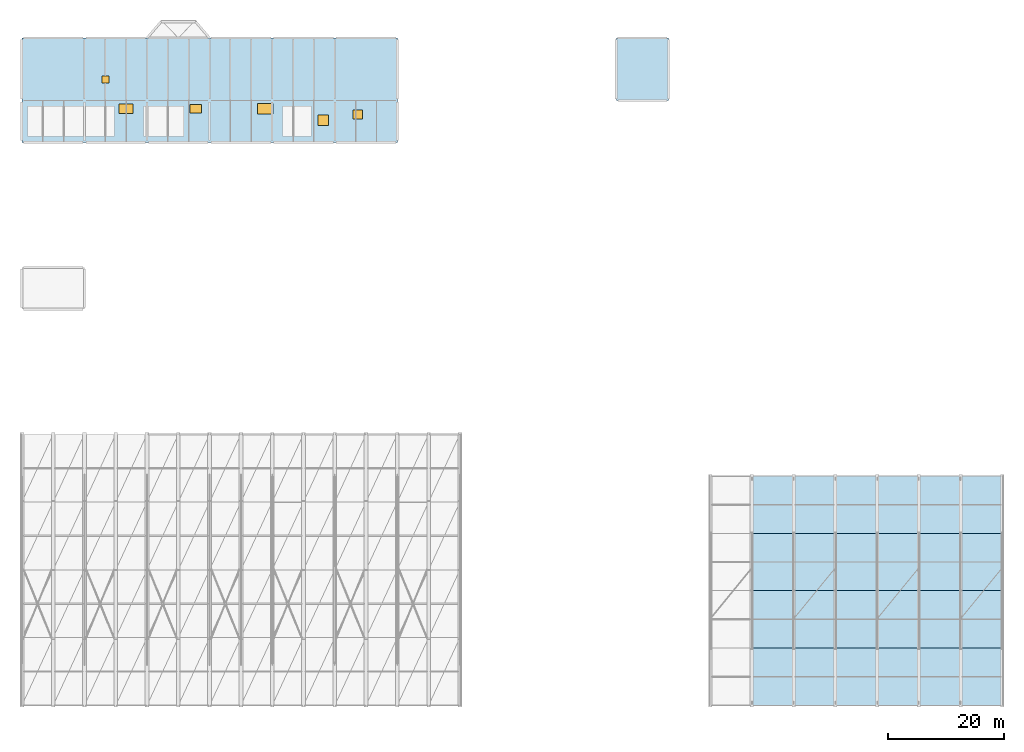
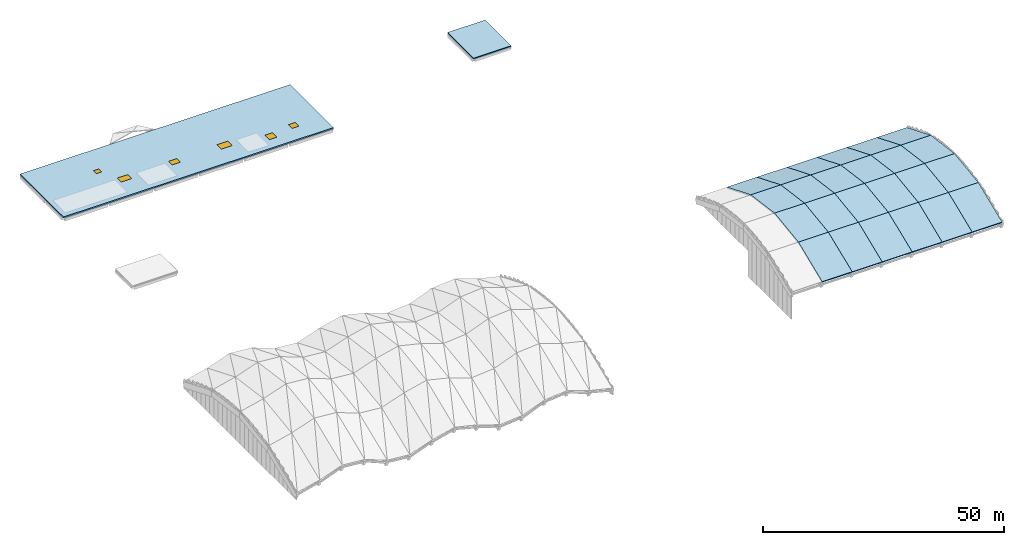
# One storey, part 8 of 22: 26 slabs, 6 windows, 6 openings.
"""IFC4 building model written with IfcOpenShell, lengths in metres."""

from ifc_helpers import new_model, si_unit, direction, frame, origin, origin_2d, place, context, subcontext, project, spatial, polyline, rectangle, outline, extrude, material, layer, layer_set, type_object, element, fill, save


model = new_model("IFC4")

# Units and contexts
model_context = context("Model", 3, precision=1e-05, world=origin(), true_north=direction((0.0, 1.0)))
body_context = subcontext(model_context, "Body", "Model", "MODEL_VIEW")
ifc_project = project(units=[si_unit("LENGTHUNIT", "METRE"), si_unit("AREAUNIT", "SQUARE_METRE"), si_unit("VOLUMEUNIT", "CUBIC_METRE"), si_unit("PLANEANGLEUNIT", "RADIAN"), si_unit("MASSUNIT", "GRAM", prefix="KILO")], contexts=[model_context])

# Site, building, storey
site_placement = place(None, origin())
site = spatial("IfcSite", under=ifc_project, at=site_placement, CompositionType="ELEMENT")
building_placement = place(site_placement, origin())
building = spatial("IfcBuilding", under=site, at=building_placement, Name="Lusvemor Sports Hall", CompositionType="ELEMENT")
storey_placement = place(building_placement, frame((0.0, 0.0, 23.39990234375)))
storey = spatial("IfcBuildingStorey", under=building, at=storey_placement, Name="Roof", CompositionType="ELEMENT", Elevation=23.39990234375)

# Slabs
ifc_material_1 = material(Name="Concrete C40/50", Category="concrete")
ifc_layer_1 = layer(ifc_material_1, 0.22998046875)
ifc_layer_set_1 = layer_set([ifc_layer_1], Name="Concrete C40/50")
slab_type_1 = type_object("IfcSlabType", Name="ROOF_AISLE_235", PredefinedType="ROOF", material=ifc_layer_set_1)
slab_1_placement = place(storey_placement, frame((0.0, 0.0, -0.22998046875)))
element("IfcSlab", 1, at=slab_1_placement, inside=storey, type_object=slab_type_1, Name="Roof Slab SLAB-ROOF-C4", PredefinedType="ROOF", context=body_context, shape_type="SweptSolid", body=[
    extrude(outline(polyline([(102.60009765625, 104.39990234375), (111.60009765625, 104.39990234375), (111.60009765625, 115.199951171875), (102.60009765625, 115.199951171875), (102.60009765625, 104.39990234375)])), origin(), (0.0, 0.0, 1.0), 0.22998046875),
])
ifc_material_2 = material(Name="Concrete C40/50", Category="concrete")
ifc_layer_2 = layer(ifc_material_2, 0.360107421875)
ifc_layer_set_2 = layer_set([ifc_layer_2], Name="Concrete C40/50")
slab_type_2 = type_object("IfcSlabType", Name="ROOF_VAULT2_205", PredefinedType="ROOF", material=ifc_layer_set_2)
slab_2_placement = place(storey_placement, frame((126.0, 0.0, -1.599853515625), z_axis=(0.0, -0.378639955723, 0.925544047536), x_axis=(1.0, 0.0, 0.0)))
element("IfcSlab", 2, at=slab_2_placement, inside=storey, type_object=slab_type_2, Name="East Barrel-Vault Roof Facet 14-1", PredefinedType="ROOF", context=body_context, shape_type="SweptSolid", body=[
    extrude(outline(polyline([(0.0, 0.0), (7.199951171875, 0.0), (7.199951171875, 10.696305994406828), (0.0, 10.696305994406828), (0.0, 0.0)])), origin(), (0.0, 0.0, -1.0), 0.360107421875),
])
slab_3_placement = place(storey_placement, frame((126.0, 9.89990234375, 2.4501953125), z_axis=(0.0, -0.135096849146, 0.990832398214), x_axis=(1.0, 0.0, 0.0)))
element("IfcSlab", 3, at=slab_3_placement, inside=storey, type_object=slab_type_2, Name="East Barrel-Vault Roof Facet 14-2", PredefinedType="ROOF", context=body_context, shape_type="SweptSolid", body=[
    extrude(outline(polyline([(0.0, 0.0), (7.199951171875, 0.0), (7.199951171875, 9.991746840554352), (0.0, 9.991746840554352), (0.0, 0.0)])), origin(), (0.0, 0.0, -1.0), 0.360107421875),
])
slab_4_placement = place(storey_placement, frame((126.0, 19.800048828125, 3.800048828125), z_axis=(0.0, 0.13510011995, 0.990831952245), x_axis=(1.0, 0.0, 0.0)))
element("IfcSlab", 4, at=slab_4_placement, inside=storey, type_object=slab_type_2, Name="East Barrel-Vault Roof Facet 14-3", PredefinedType="ROOF", context=body_context, shape_type="SweptSolid", body=[
    extrude(outline(polyline([(0.0, 0.0), (7.199951171875, 0.0), (7.199951171875, 9.99150493816782), (0.0, 9.99150493816782), (0.0, 0.0)])), origin(), (0.0, 0.0, -1.0), 0.360107421875),
])
slab_5_placement = place(storey_placement, frame((126.0, 29.699951171875, 2.4501953125), z_axis=(0.0, 0.378631956987, 0.925547319778), x_axis=(1.0, 0.0, 0.0)))
element("IfcSlab", 5, at=slab_5_placement, inside=storey, type_object=slab_type_2, Name="East Barrel-Vault Roof Facet 14-4", PredefinedType="ROOF", context=body_context, shape_type="SweptSolid", body=[
    extrude(outline(polyline([(0.0, 0.0), (7.199951171875, 0.0), (7.199951171875, 10.696531957708505), (0.0, 10.696531957708505), (0.0, 0.0)])), origin(), (0.0, 0.0, -1.0), 0.360107421875),
])
slab_6_placement = place(storey_placement, frame((133.199951171875, 0.0, -1.599853515625), z_axis=(0.0, -0.378639955723, 0.925544047536), x_axis=(1.0, 0.0, 0.0)))
element("IfcSlab", 6, at=slab_6_placement, inside=storey, type_object=slab_type_2, Name="East Barrel-Vault Roof Facet 15-1", PredefinedType="ROOF", context=body_context, shape_type="SweptSolid", body=[
    extrude(outline(polyline([(0.0, 0.0), (7.199951171875, 0.0), (7.199951171875, 10.696305994406828), (0.0, 10.696305994406828), (0.0, 0.0)])), origin(), (0.0, 0.0, -1.0), 0.360107421875),
])
slab_7_placement = place(storey_placement, frame((133.199951171875, 9.89990234375, 2.4501953125), z_axis=(0.0, -0.135096849146, 0.990832398214), x_axis=(1.0, 0.0, 0.0)))
element("IfcSlab", 7, at=slab_7_placement, inside=storey, type_object=slab_type_2, Name="East Barrel-Vault Roof Facet 15-2", PredefinedType="ROOF", context=body_context, shape_type="SweptSolid", body=[
    extrude(outline(polyline([(0.0, 0.0), (7.199951171875, 0.0), (7.199951171875, 9.991746840554352), (0.0, 9.991746840554352), (0.0, 0.0)])), origin(), (0.0, 0.0, -1.0), 0.360107421875),
])
slab_8_placement = place(storey_placement, frame((133.199951171875, 19.800048828125, 3.800048828125), z_axis=(0.0, 0.13510011995, 0.990831952245), x_axis=(1.0, 0.0, 0.0)))
element("IfcSlab", 8, at=slab_8_placement, inside=storey, type_object=slab_type_2, Name="East Barrel-Vault Roof Facet 15-3", PredefinedType="ROOF", context=body_context, shape_type="SweptSolid", body=[
    extrude(outline(polyline([(0.0, 0.0), (7.199951171875, 0.0), (7.199951171875, 9.99150493816782), (0.0, 9.99150493816782), (0.0, 0.0)])), origin(), (0.0, 0.0, -1.0), 0.360107421875),
])
slab_9_placement = place(storey_placement, frame((133.199951171875, 29.699951171875, 2.4501953125), z_axis=(0.0, 0.378631956987, 0.925547319778), x_axis=(1.0, 0.0, 0.0)))
element("IfcSlab", 9, at=slab_9_placement, inside=storey, type_object=slab_type_2, Name="East Barrel-Vault Roof Facet 15-4", PredefinedType="ROOF", context=body_context, shape_type="SweptSolid", body=[
    extrude(outline(polyline([(0.0, 0.0), (7.199951171875, 0.0), (7.199951171875, 10.696531957708505), (0.0, 10.696531957708505), (0.0, 0.0)])), origin(), (0.0, 0.0, -1.0), 0.360107421875),
])
slab_10_placement = place(storey_placement, frame((140.39990234375, 0.0, -1.599853515625), z_axis=(0.0, -0.378639955723, 0.925544047536), x_axis=(1.0, 0.0, 0.0)))
element("IfcSlab", 10, at=slab_10_placement, inside=storey, type_object=slab_type_2, Name="East Barrel-Vault Roof Facet 16-1", PredefinedType="ROOF", context=body_context, shape_type="SweptSolid", body=[
    extrude(outline(polyline([(0.0, 0.0), (7.2001953125, 0.0), (7.2001953125, 10.696305994406828), (0.0, 10.696305994406828), (0.0, 0.0)])), origin(), (0.0, 0.0, -1.0), 0.360107421875),
])
slab_11_placement = place(storey_placement, frame((140.39990234375, 9.89990234375, 2.4501953125), z_axis=(0.0, -0.135096849146, 0.990832398214), x_axis=(1.0, 0.0, 0.0)))
element("IfcSlab", 11, at=slab_11_placement, inside=storey, type_object=slab_type_2, Name="East Barrel-Vault Roof Facet 16-2", PredefinedType="ROOF", context=body_context, shape_type="SweptSolid", body=[
    extrude(outline(polyline([(0.0, 0.0), (7.2001953125, 0.0), (7.2001953125, 9.99174684055435), (0.0, 9.99174684055435), (0.0, 0.0)])), origin(), (0.0, 0.0, -1.0), 0.360107421875),
])
slab_12_placement = place(storey_placement, frame((140.39990234375, 19.800048828125, 3.800048828125), z_axis=(0.0, 0.13510011995, 0.990831952245), x_axis=(1.0, 0.0, 0.0)))
element("IfcSlab", 12, at=slab_12_placement, inside=storey, type_object=slab_type_2, Name="East Barrel-Vault Roof Facet 16-3", PredefinedType="ROOF", context=body_context, shape_type="SweptSolid", body=[
    extrude(outline(polyline([(0.0, 0.0), (7.2001953125, 0.0), (7.2001953125, 9.991504938167818), (0.0, 9.991504938167818), (0.0, 0.0)])), origin(), (0.0, 0.0, -1.0), 0.360107421875),
])
slab_13_placement = place(storey_placement, frame((140.39990234375, 29.699951171875, 2.4501953125), z_axis=(0.0, 0.378631956987, 0.925547319778), x_axis=(1.0, 0.0, 0.0)))
element("IfcSlab", 13, at=slab_13_placement, inside=storey, type_object=slab_type_2, Name="East Barrel-Vault Roof Facet 16-4", PredefinedType="ROOF", context=body_context, shape_type="SweptSolid", body=[
    extrude(outline(polyline([(0.0, 0.0), (7.2001953125, 0.0), (7.2001953125, 10.696531957708505), (0.0, 10.696531957708505), (0.0, 0.0)])), origin(), (0.0, 0.0, -1.0), 0.360107421875),
])
slab_14_placement = place(storey_placement, frame((147.60009765625, 0.0, -1.599853515625), z_axis=(0.0, -0.378639955723, 0.925544047536), x_axis=(1.0, 0.0, 0.0)))
element("IfcSlab", 14, at=slab_14_placement, inside=storey, type_object=slab_type_2, Name="East Barrel-Vault Roof Facet 17-1", PredefinedType="ROOF", context=body_context, shape_type="SweptSolid", body=[
    extrude(outline(polyline([(0.0, 0.0), (7.199951171875, 0.0), (7.199951171875, 10.696305994406828), (0.0, 10.696305994406828), (0.0, 0.0)])), origin(), (0.0, 0.0, -1.0), 0.360107421875),
])
slab_15_placement = place(storey_placement, frame((147.60009765625, 9.89990234375, 2.4501953125), z_axis=(0.0, -0.135096849146, 0.990832398214), x_axis=(1.0, 0.0, 0.0)))
element("IfcSlab", 15, at=slab_15_placement, inside=storey, type_object=slab_type_2, Name="East Barrel-Vault Roof Facet 17-2", PredefinedType="ROOF", context=body_context, shape_type="SweptSolid", body=[
    extrude(outline(polyline([(0.0, 0.0), (7.199951171875, 0.0), (7.199951171875, 9.991746840554352), (0.0, 9.991746840554352), (0.0, 0.0)])), origin(), (0.0, 0.0, -1.0), 0.360107421875),
])
slab_16_placement = place(storey_placement, frame((147.60009765625, 19.800048828125, 3.800048828125), z_axis=(0.0, 0.13510011995, 0.990831952245), x_axis=(1.0, 0.0, 0.0)))
element("IfcSlab", 16, at=slab_16_placement, inside=storey, type_object=slab_type_2, Name="East Barrel-Vault Roof Facet 17-3", PredefinedType="ROOF", context=body_context, shape_type="SweptSolid", body=[
    extrude(outline(polyline([(0.0, 0.0), (7.199951171875, 0.0), (7.199951171875, 9.99150493816782), (0.0, 9.99150493816782), (0.0, 0.0)])), origin(), (0.0, 0.0, -1.0), 0.360107421875),
])
slab_17_placement = place(storey_placement, frame((147.60009765625, 29.699951171875, 2.4501953125), z_axis=(0.0, 0.378631956987, 0.925547319778), x_axis=(1.0, 0.0, 0.0)))
element("IfcSlab", 17, at=slab_17_placement, inside=storey, type_object=slab_type_2, Name="East Barrel-Vault Roof Facet 17-4", PredefinedType="ROOF", context=body_context, shape_type="SweptSolid", body=[
    extrude(outline(polyline([(0.0, 0.0), (7.199951171875, 0.0), (7.199951171875, 10.696531957708505), (0.0, 10.696531957708505), (0.0, 0.0)])), origin(), (0.0, 0.0, -1.0), 0.360107421875),
])
slab_18_placement = place(storey_placement, frame((154.800048828125, 0.0, -1.599853515625), z_axis=(0.0, -0.378639955723, 0.925544047536), x_axis=(1.0, 0.0, 0.0)))
element("IfcSlab", 18, at=slab_18_placement, inside=storey, type_object=slab_type_2, Name="East Barrel-Vault Roof Facet 18-1", PredefinedType="ROOF", context=body_context, shape_type="SweptSolid", body=[
    extrude(outline(polyline([(0.0, 0.0), (7.199951171875, 0.0), (7.199951171875, 10.696305994406828), (0.0, 10.696305994406828), (0.0, 0.0)])), origin(), (0.0, 0.0, -1.0), 0.360107421875),
])
slab_19_placement = place(storey_placement, frame((154.800048828125, 9.89990234375, 2.4501953125), z_axis=(0.0, -0.135096849146, 0.990832398214), x_axis=(1.0, 0.0, 0.0)))
element("IfcSlab", 19, at=slab_19_placement, inside=storey, type_object=slab_type_2, Name="East Barrel-Vault Roof Facet 18-2", PredefinedType="ROOF", context=body_context, shape_type="SweptSolid", body=[
    extrude(outline(polyline([(0.0, 0.0), (7.199951171875, 0.0), (7.199951171875, 9.991746840554352), (0.0, 9.991746840554352), (0.0, 0.0)])), origin(), (0.0, 0.0, -1.0), 0.360107421875),
])
slab_20_placement = place(storey_placement, frame((154.800048828125, 19.800048828125, 3.800048828125), z_axis=(0.0, 0.13510011995, 0.990831952245), x_axis=(1.0, 0.0, 0.0)))
element("IfcSlab", 20, at=slab_20_placement, inside=storey, type_object=slab_type_2, Name="East Barrel-Vault Roof Facet 18-3", PredefinedType="ROOF", context=body_context, shape_type="SweptSolid", body=[
    extrude(outline(polyline([(0.0, 0.0), (7.199951171875, 0.0), (7.199951171875, 9.99150493816782), (0.0, 9.99150493816782), (0.0, 0.0)])), origin(), (0.0, 0.0, -1.0), 0.360107421875),
])
slab_21_placement = place(storey_placement, frame((154.800048828125, 29.699951171875, 2.4501953125), z_axis=(0.0, 0.378631956987, 0.925547319778), x_axis=(1.0, 0.0, 0.0)))
element("IfcSlab", 21, at=slab_21_placement, inside=storey, type_object=slab_type_2, Name="East Barrel-Vault Roof Facet 18-4", PredefinedType="ROOF", context=body_context, shape_type="SweptSolid", body=[
    extrude(outline(polyline([(0.0, 0.0), (7.199951171875, 0.0), (7.199951171875, 10.696531957708505), (0.0, 10.696531957708505), (0.0, 0.0)])), origin(), (0.0, 0.0, -1.0), 0.360107421875),
])
slab_22_placement = place(storey_placement, frame((162.0, 0.0, -1.599853515625), z_axis=(0.0, -0.378639955723, 0.925544047536), x_axis=(1.0, 0.0, 0.0)))
element("IfcSlab", 22, at=slab_22_placement, inside=storey, type_object=slab_type_2, Name="East Barrel-Vault Roof Facet 19-1", PredefinedType="ROOF", context=body_context, shape_type="SweptSolid", body=[
    extrude(outline(polyline([(0.0, 0.0), (7.199951171875, 0.0), (7.199951171875, 10.696305994406828), (0.0, 10.696305994406828), (0.0, 0.0)])), origin(), (0.0, 0.0, -1.0), 0.360107421875),
])
slab_23_placement = place(storey_placement, frame((162.0, 9.89990234375, 2.4501953125), z_axis=(0.0, -0.135096849146, 0.990832398214), x_axis=(1.0, 0.0, 0.0)))
element("IfcSlab", 23, at=slab_23_placement, inside=storey, type_object=slab_type_2, Name="East Barrel-Vault Roof Facet 19-2", PredefinedType="ROOF", context=body_context, shape_type="SweptSolid", body=[
    extrude(outline(polyline([(0.0, 0.0), (7.199951171875, 0.0), (7.199951171875, 9.991746840554352), (0.0, 9.991746840554352), (0.0, 0.0)])), origin(), (0.0, 0.0, -1.0), 0.360107421875),
])
slab_24_placement = place(storey_placement, frame((162.0, 19.800048828125, 3.800048828125), z_axis=(0.0, 0.13510011995, 0.990831952245), x_axis=(1.0, 0.0, 0.0)))
element("IfcSlab", 24, at=slab_24_placement, inside=storey, type_object=slab_type_2, Name="East Barrel-Vault Roof Facet 19-3", PredefinedType="ROOF", context=body_context, shape_type="SweptSolid", body=[
    extrude(outline(polyline([(0.0, 0.0), (7.199951171875, 0.0), (7.199951171875, 9.99150493816782), (0.0, 9.99150493816782), (0.0, 0.0)])), origin(), (0.0, 0.0, -1.0), 0.360107421875),
])
slab_25_placement = place(storey_placement, frame((162.0, 29.699951171875, 2.4501953125), z_axis=(0.0, 0.378631956987, 0.925547319778), x_axis=(1.0, 0.0, 0.0)))
element("IfcSlab", 25, at=slab_25_placement, inside=storey, type_object=slab_type_2, Name="East Barrel-Vault Roof Facet 19-4", PredefinedType="ROOF", context=body_context, shape_type="SweptSolid", body=[
    extrude(outline(polyline([(0.0, 0.0), (7.199951171875, 0.0), (7.199951171875, 10.696531957708505), (0.0, 10.696531957708505), (0.0, 0.0)])), origin(), (0.0, 0.0, -1.0), 0.360107421875),
])

# Slab, openings, windows
ifc_material_3 = material(Name="Concrete C40/50", Category="concrete")
ifc_layer_3 = layer(ifc_material_3, 0.330078125)
ifc_layer_set_3 = layer_set([ifc_layer_3], Name="Concrete C40/50")
slab_type_3 = type_object("IfcSlabType", Name="ROOF_WING_275", PredefinedType="ROOF", material=ifc_layer_set_3)
slab_26_placement = place(storey_placement, frame((0.0, 0.0, -0.329833984375)))
slab_26 = element("IfcSlab", 26, at=slab_26_placement, inside=storey, type_object=slab_type_3, Name="Roof Slab SLAB-ROOF-V5NW", PredefinedType="ROOF", context=body_context, shape_type="SweptSolid", body=[
    extrude(outline(polyline([(0.0, 97.199951171875), (64.800048828125, 97.199951171875), (64.800048828125, 115.199951171875), (0.0, 115.199951171875), (0.0, 97.199951171875)])), origin(), (0.0, 0.0, 1.0), 0.329833984375),
])
opening_1_placement = place(slab_26_placement, frame((14.39990234375, 108.0, 0.0)))
opening_1 = element("IfcOpeningElement", 27, at=opening_1_placement, cuts=slab_26, Name="Opening SK05", PredefinedType="OPENING", context=body_context, shape_type="SweptSolid", body=[
    extrude(rectangle(XDim=1.219970703125, YDim=1.219970703125, at=origin_2d()), origin(), (0.0, 0.0, 1.0), 0.329833984375),
])
opening_2_placement = place(slab_26_placement, frame((18.0, 103.0, 0.0)))
opening_2 = element("IfcOpeningElement", 28, at=opening_2_placement, cuts=slab_26, Name="Opening SK01", PredefinedType="OPENING", context=body_context, shape_type="SweptSolid", body=[
    extrude(rectangle(XDim=2.43994140625, YDim=1.639892578125, at=origin_2d()), origin(), (0.0, 0.0, 1.0), 0.329833984375),
])
opening_3_placement = place(slab_26_placement, frame((30.0, 103.0, 0.0)))
opening_3 = element("IfcOpeningElement", 29, at=opening_3_placement, cuts=slab_26, Name="Opening SK02", PredefinedType="OPENING", context=body_context, shape_type="SweptSolid", body=[
    extrude(rectangle(XDim=2.0400390625, YDim=1.43994140625, at=origin_2d()), origin(), (0.0, 0.0, 1.0), 0.329833984375),
])
opening_4_placement = place(slab_26_placement, frame((42.0, 103.0, 0.0)))
opening_4 = element("IfcOpeningElement", 30, at=opening_4_placement, cuts=slab_26, Name="Opening SK03", PredefinedType="OPENING", context=body_context, shape_type="SweptSolid", body=[
    extrude(rectangle(XDim=2.639892578125, YDim=1.840087890625, at=origin_2d()), origin(), (0.0, 0.0, 1.0), 0.329833984375),
])
opening_5_placement = place(slab_26_placement, frame((52.0, 101.0, 0.0)))
opening_5 = element("IfcOpeningElement", 31, at=opening_5_placement, cuts=slab_26, Name="Opening SK04", PredefinedType="OPENING", context=body_context, shape_type="SweptSolid", body=[
    extrude(rectangle(XDim=1.840087890625, YDim=1.840087890625, at=origin_2d()), origin(), (0.0, 0.0, 1.0), 0.329833984375),
])
opening_6_placement = place(slab_26_placement, frame((58.0, 102.0, 0.0)))
opening_6 = element("IfcOpeningElement", 32, at=opening_6_placement, cuts=slab_26, Name="Opening SK07", PredefinedType="OPENING", context=body_context, shape_type="SweptSolid", body=[
    extrude(rectangle(XDim=1.639892578125, YDim=1.5400390625, at=origin_2d()), origin(), (0.0, 0.0, 1.0), 0.329833984375),
])
ifc_material_4 = material(Name="Solar-control laminated double glazing", Category="glass")
window_type_1 = type_object("IfcWindowType", Name="SKY_01", PartitioningType="SINGLE_PANEL", PredefinedType="SKYLIGHT", material=ifc_material_4)
window_1_placement = place(opening_2_placement, frame((0.0, 0.0, 0.27978515625)))
window_1 = element("IfcWindow", 33, at=window_1_placement, inside=storey, type_object=window_type_1, Name="Roof Skylight SKY-V5NW-1", OverallHeight=1.639892578125, OverallWidth=2.43994140625, PartitioningType="SINGLE_PANEL", PredefinedType="SKYLIGHT", context=body_context, shape_type="SweptSolid", body=[
    extrude(rectangle(XDim=2.43994140625, YDim=1.639892578125, at=origin_2d()), origin(), (0.0, 0.0, 1.0), 0.050048828125),
])
fill(opening_2, window_1)
ifc_material_5 = material(Name="Solar-control laminated double glazing", Category="glass")
window_type_2 = type_object("IfcWindowType", Name="SKY_02", PartitioningType="SINGLE_PANEL", PredefinedType="SKYLIGHT", material=ifc_material_5)
window_2_placement = place(opening_3_placement, frame((0.0, 0.0, 0.27978515625)))
window_2 = element("IfcWindow", 34, at=window_2_placement, inside=storey, type_object=window_type_2, Name="Roof Skylight SKY-V5NW-2", OverallHeight=1.43994140625, OverallWidth=2.0400390625, PartitioningType="SINGLE_PANEL", PredefinedType="SKYLIGHT", context=body_context, shape_type="SweptSolid", body=[
    extrude(rectangle(XDim=2.0400390625, YDim=1.43994140625, at=origin_2d()), origin(), (0.0, 0.0, 1.0), 0.050048828125),
])
fill(opening_3, window_2)
ifc_material_6 = material(Name="Solar-control laminated double glazing", Category="glass")
window_type_3 = type_object("IfcWindowType", Name="SKY_03", PartitioningType="SINGLE_PANEL", PredefinedType="SKYLIGHT", material=ifc_material_6)
window_3_placement = place(opening_4_placement, frame((0.0, 0.0, 0.27978515625)))
window_3 = element("IfcWindow", 35, at=window_3_placement, inside=storey, type_object=window_type_3, Name="Roof Skylight SKY-V5NW-3", OverallHeight=1.840087890625, OverallWidth=2.639892578125, PartitioningType="SINGLE_PANEL", PredefinedType="SKYLIGHT", context=body_context, shape_type="SweptSolid", body=[
    extrude(rectangle(XDim=2.639892578125, YDim=1.840087890625, at=origin_2d()), origin(), (0.0, 0.0, 1.0), 0.050048828125),
])
fill(opening_4, window_3)
ifc_material_7 = material(Name="Solar-control laminated double glazing", Category="glass")
window_type_4 = type_object("IfcWindowType", Name="SKY_04", PartitioningType="SINGLE_PANEL", PredefinedType="SKYLIGHT", material=ifc_material_7)
window_4_placement = place(opening_5_placement, frame((0.0, 0.0, 0.27978515625)))
window_4 = element("IfcWindow", 36, at=window_4_placement, inside=storey, type_object=window_type_4, Name="Roof Skylight SKY-V5NW-4", OverallHeight=1.840087890625, OverallWidth=1.840087890625, PartitioningType="SINGLE_PANEL", PredefinedType="SKYLIGHT", context=body_context, shape_type="SweptSolid", body=[
    extrude(rectangle(XDim=1.840087890625, YDim=1.840087890625, at=origin_2d()), origin(), (0.0, 0.0, 1.0), 0.050048828125),
])
fill(opening_5, window_4)
ifc_material_8 = material(Name="Solar-control laminated double glazing", Category="glass")
window_type_5 = type_object("IfcWindowType", Name="SKY_05", PartitioningType="SINGLE_PANEL", PredefinedType="SKYLIGHT", material=ifc_material_8)
window_5_placement = place(opening_1_placement, frame((0.0, 0.0, 0.27978515625)))
window_5 = element("IfcWindow", 37, at=window_5_placement, inside=storey, type_object=window_type_5, Name="Roof Skylight HATCH-ROOF-V5NW", OverallHeight=1.219970703125, OverallWidth=1.219970703125, PartitioningType="SINGLE_PANEL", PredefinedType="SKYLIGHT", context=body_context, shape_type="SweptSolid", body=[
    extrude(rectangle(XDim=1.219970703125, YDim=1.219970703125, at=origin_2d()), origin(), (0.0, 0.0, 1.0), 0.050048828125),
])
fill(opening_1, window_5)
ifc_material_9 = material(Name="Solar-control laminated double glazing", Category="glass")
window_type_6 = type_object("IfcWindowType", Name="SKY_07", PartitioningType="SINGLE_PANEL", PredefinedType="SKYLIGHT", material=ifc_material_9)
window_6_placement = place(opening_6_placement, frame((0.0, 0.0, 0.27978515625)))
window_6 = element("IfcWindow", 38, at=window_6_placement, inside=storey, type_object=window_type_6, Name="Roof Skylight SKY-V5NW-5", OverallHeight=1.5400390625, OverallWidth=1.639892578125, PartitioningType="SINGLE_PANEL", PredefinedType="SKYLIGHT", context=body_context, shape_type="SweptSolid", body=[
    extrude(rectangle(XDim=1.639892578125, YDim=1.5400390625, at=origin_2d()), origin(), (0.0, 0.0, 1.0), 0.050048828125),
])
fill(opening_6, window_6)

save(model, "model.ifc")
